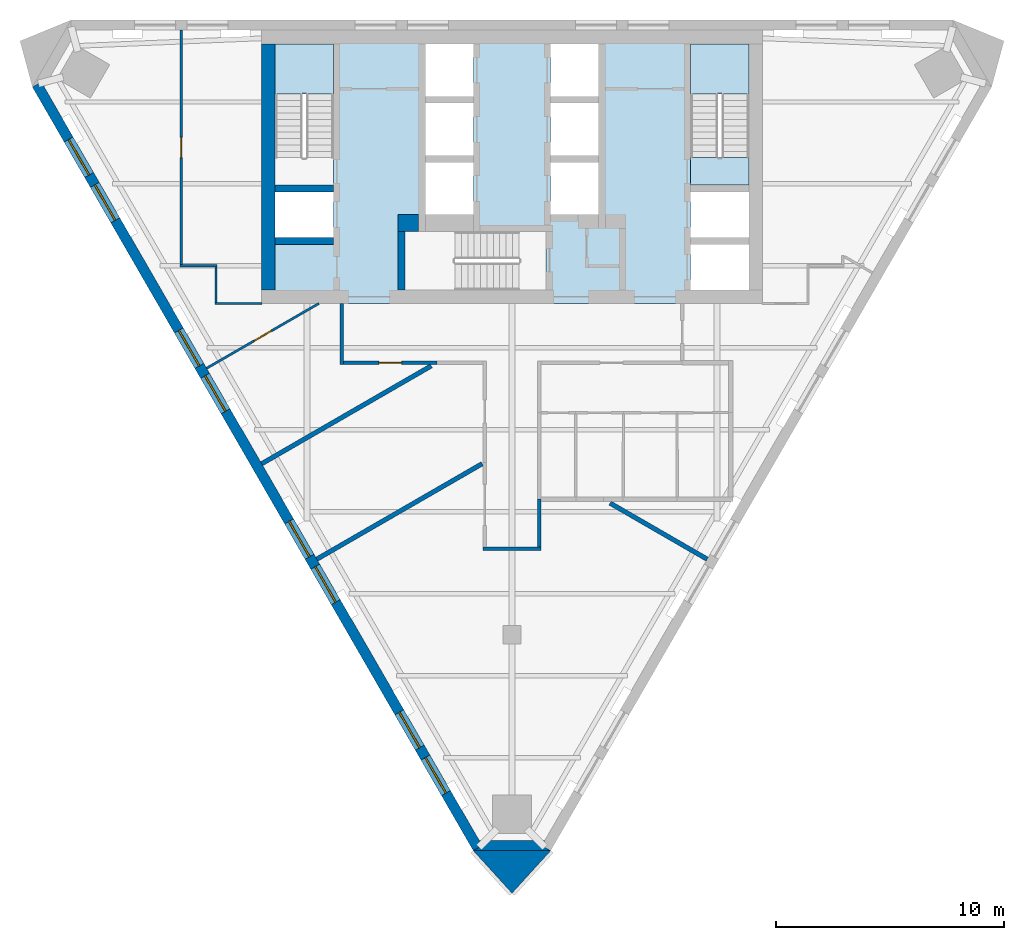
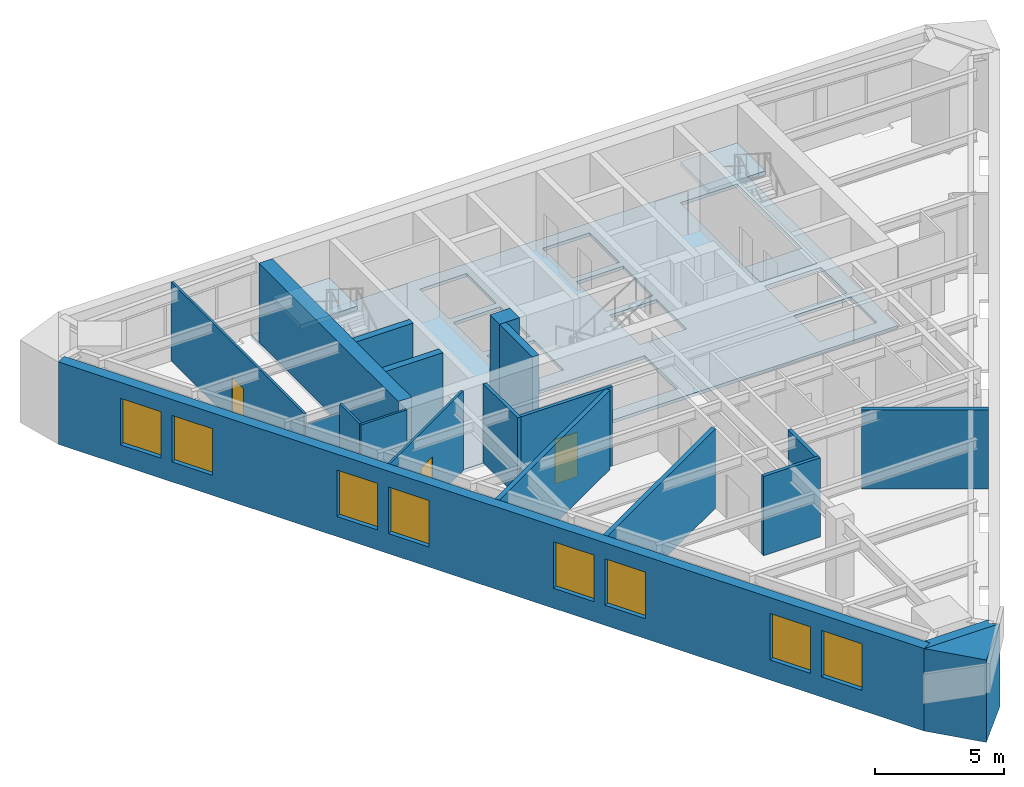
# One storey, part 2 of 7: 20 walls, 8 windows, 4 slabs, 3 doors, 11 openings, 2 elements without a shape of their own.
"""IFC4 building model written with IfcOpenShell, lengths in metres."""

from ifc_helpers import new_model, si_unit, direction, frame, frame_2d, origin, place, context, subcontext, project, spatial, polyline, rectangle, outline, extrude, material, layer, layer_set, type_object, element, fill, aggregate, save


model = new_model("IFC4")

# Units and contexts
model_context = context("Model", 3, precision=1e-05, world=origin(), true_north=direction((0.0, 1.0)))
body_context = subcontext(model_context, "Body", "Model", "MODEL_VIEW")
ifc_project = project(units=[si_unit("LENGTHUNIT", "METRE"), si_unit("AREAUNIT", "SQUARE_METRE"), si_unit("VOLUMEUNIT", "CUBIC_METRE"), si_unit("PLANEANGLEUNIT", "RADIAN"), si_unit("MASSUNIT", "GRAM", prefix="KILO")], contexts=[model_context])

# Site, building, storey
site_placement = place(None, origin())
site = spatial("IfcSite", under=ifc_project, at=site_placement, CompositionType="ELEMENT")
building_placement = place(site_placement, origin())
building = spatial("IfcBuilding", under=site, at=building_placement, Name="Aloe Facet Convention Tower", CompositionType="ELEMENT")
storey_placement = place(building_placement, frame((0.0, 0.0, 207.5)))
storey = spatial("IfcBuildingStorey", under=building, at=storey_placement, Name="L52", CompositionType="ELEMENT", Elevation=207.5)

# Slabs
ifc_material_1 = material(Name="Concrete C50/60", Category="concrete")
ifc_layer_1 = layer(ifc_material_1, 0.14990234375)
ifc_layer_set_1 = layer_set([ifc_layer_1], Name="CR-S-FLOOR150-C5060")
slab_type_1 = type_object("IfcSlabType", Name="CR-S-FLOOR150-C5060", PredefinedType="FLOOR", material=ifc_layer_set_1)
slab_1_placement = place(storey_placement, frame((0.0, 0.0, -0.14990234375)))
element("IfcSlab", 1, at=slab_1_placement, inside=storey, type_object=slab_type_1, Name="Core floor L52", PredefinedType="FLOOR", context=body_context, shape_type="SweptSolid", body=[
    extrude(outline(polyline([(71.85009765625, 134.550048828125), (72.75, 134.550048828125), (75.60009765625, 134.550048828125), (76.5, 134.550048828125), (78.0, 134.550048828125), (78.89990234375, 134.550048828125), (81.10009765625, 134.550048828125), (82.0, 134.550048828125), (83.5, 134.550048828125), (84.39990234375, 134.550048828125), (87.25, 134.550048828125), (88.14990234375, 134.550048828125), (91.0, 134.550048828125), (91.0, 128.050048828125), (91.0, 127.14990234375), (91.0, 125.75), (91.0, 124.85009765625), (91.0, 122.550048828125), (88.14990234375, 122.550048828125), (87.25, 122.550048828125), (85.300048828125, 122.550048828125), (84.39990234375, 122.550048828125), (82.10009765625, 122.550048828125), (81.199951171875, 122.550048828125), (75.60009765625, 122.550048828125), (74.699951171875, 122.550048828125), (72.75, 122.550048828125), (71.85009765625, 122.550048828125), (69.0, 122.550048828125), (69.0, 124.85009765625), (69.0, 125.75), (69.0, 127.14990234375), (69.0, 128.050048828125), (69.0, 134.550048828125), (71.85009765625, 134.550048828125)]), holes=[polyline([(80.298828125, 123.14990234375), (81.5, 123.14990234375), (81.5, 125.699951171875), (80.298828125, 125.699951171875), (75.300048828125, 125.699951171875), (75.300048828125, 123.14990234375), (80.298828125, 123.14990234375)]), polyline([(69.60009765625, 125.449951171875), (72.14990234375, 125.449951171875), (72.14990234375, 127.449951171875), (69.60009765625, 127.449951171875), (69.60009765625, 125.449951171875)]), polyline([(76.199951171875, 126.449951171875), (78.300048828125, 126.449951171875), (78.300048828125, 128.75), (76.199951171875, 128.75), (76.199951171875, 126.449951171875)]), polyline([(78.300048828125, 129.050048828125), (78.300048828125, 131.35009765625), (76.199951171875, 131.35009765625), (76.199951171875, 129.050048828125), (78.300048828125, 129.050048828125)]), polyline([(69.60009765625, 133.949951171875), (69.60009765625, 128.951171875), (69.60009765625, 127.75), (72.14990234375, 127.75), (72.14990234375, 128.951171875), (72.14990234375, 133.949951171875), (69.60009765625, 133.949951171875)]), polyline([(76.199951171875, 131.64990234375), (78.300048828125, 131.64990234375), (78.300048828125, 133.949951171875), (76.199951171875, 133.949951171875), (76.199951171875, 131.64990234375)]), polyline([(90.39990234375, 123.14990234375), (90.39990234375, 125.14990234375), (87.85009765625, 125.14990234375), (87.85009765625, 123.14990234375), (90.39990234375, 123.14990234375)]), polyline([(87.85009765625, 125.449951171875), (90.39990234375, 125.449951171875), (90.39990234375, 127.449951171875), (87.85009765625, 127.449951171875), (87.85009765625, 125.449951171875)]), polyline([(81.699951171875, 126.449951171875), (83.800048828125, 126.449951171875), (83.800048828125, 128.75), (81.699951171875, 128.75), (81.699951171875, 126.449951171875)]), polyline([(83.800048828125, 129.050048828125), (83.800048828125, 131.35009765625), (81.699951171875, 131.35009765625), (81.699951171875, 129.050048828125), (83.800048828125, 129.050048828125)]), polyline([(87.85009765625, 133.949951171875), (87.85009765625, 128.951171875), (87.85009765625, 127.75), (90.39990234375, 127.75), (90.39990234375, 128.951171875), (90.39990234375, 133.949951171875), (87.85009765625, 133.949951171875)]), polyline([(81.699951171875, 131.64990234375), (83.800048828125, 131.64990234375), (83.800048828125, 133.949951171875), (81.699951171875, 133.949951171875), (81.699951171875, 131.64990234375)])]), origin(), (0.0, 0.0, 1.0), 0.14990234375),
])
ifc_material_2 = material(Name="Concrete C50/60", Category="concrete")
ifc_layer_2 = layer(ifc_material_2, 0.300048828125)
ifc_layer_set_2 = layer_set([ifc_layer_2], Name="CR-S-FLOOR300-C5060")
slab_type_2 = type_object("IfcSlabType", Name="CR-S-FLOOR300-C5060", PredefinedType="FLOOR", material=ifc_layer_set_2)
slab_2_placement = place(storey_placement, frame((0.0, 0.0, -0.300048828125)))
element("IfcSlab", 2, at=slab_2_placement, inside=storey, type_object=slab_type_2, Name="Stair landing floor L52", PredefinedType="FLOOR", context=body_context, shape_type="SweptSolid", body=[
    extrude(outline(polyline([(90.39990234375, 127.75), (90.39990234375, 128.951171875), (87.85009765625, 128.951171875), (87.85009765625, 127.75), (90.39990234375, 127.75)])), origin(), (0.0, 0.0, 1.0), 0.300048828125),
])

# Stair, slab
ifc_material_3 = material(Name="Concrete C50/60", Category="concrete")
stair_type = type_object("IfcStairType", Name="CR-ST-22R", PredefinedType="HALF_TURN_STAIR", material=ifc_material_3)
stair_1_placement = place(storey_placement, origin())
stair_1 = element("IfcStair", 3, at=stair_1_placement, inside=storey, type_object=stair_type, Name="L52 Protected exit stair ST1", PredefinedType="HALF_TURN_STAIR")
ifc_material_4 = material(Name="Concrete C50/60", Category="concrete")
ifc_layer_3 = layer(ifc_material_4, 0.199951171875)
ifc_layer_set_3 = layer_set([ifc_layer_3], Name="CR-SL-LANDING")
slab_type_3 = type_object("IfcSlabType", Name="CR-SL-LANDING", PredefinedType="LANDING", material=ifc_layer_set_3)
slab_3_placement = place(storey_placement, frame((0.0, 0.0, 1.75)))
slab_3 = element("IfcSlab", 4, at=slab_3_placement, type_object=slab_type_3, Name="ST1 landing 1", PredefinedType="LANDING", context=body_context, shape_type="SweptSolid", body=[
    extrude(outline(polyline([(72.14990234375, 131.75), (72.14990234375, 133.949951171875), (69.60009765625, 133.949951171875), (69.60009765625, 131.75), (72.14990234375, 131.75)])), origin(), (0.0, 0.0, 1.0), 0.199951171875),
])
aggregate(stair_1, [slab_3])

stair_2_placement = place(storey_placement, origin())
stair_2 = element("IfcStair", 5, at=stair_2_placement, inside=storey, type_object=stair_type, Name="L52 Protected exit stair ST2", PredefinedType="HALF_TURN_STAIR")
slab_4_placement = place(storey_placement, frame((0.0, 0.0, 1.75)))
slab_4 = element("IfcSlab", 6, at=slab_4_placement, type_object=slab_type_3, Name="ST2 landing 1", PredefinedType="LANDING", context=body_context, shape_type="SweptSolid", body=[
    extrude(outline(polyline([(90.39990234375, 131.75), (90.39990234375, 133.949951171875), (87.85009765625, 133.949951171875), (87.85009765625, 131.75), (90.39990234375, 131.75)])), origin(), (0.0, 0.0, 1.0), 0.199951171875),
])
aggregate(stair_2, [slab_4])

# Walls
ifc_material_5 = material(Name="Concrete C50/60", Category="concrete")
ifc_layer_4 = layer(ifc_material_5, 0.300048828125)
ifc_layer_set_4 = layer_set([ifc_layer_4], Name="CR-W-RC300-C5060")
wall_type_1 = type_object("IfcWallType", Name="CR-W-RC300-C5060", PredefinedType="SOLIDWALL", material=ifc_layer_set_4)
for number, where, z_axis, x_axis, name in (
    (7, (69.60009765625, 127.60009765625, 0.0), (0.0, 0.0, 1.0), (1.0, 0.0, 0.0), "Core wall L52-004"),
    (8, (69.60009765625, 125.300048828125, 0.0), (0.0, 0.0, 1.0), (1.0, 0.0, 0.0), "Core wall L52-005"),
):
    element("IfcWall", number, at=place(storey_placement, frame(where, z_axis=z_axis, x_axis=x_axis)), inside=storey, type_object=wall_type_1, Name=name, PredefinedType="SOLIDWALL", context=body_context, shape_type="SweptSolid", body=[
        extrude(rectangle(XDim=2.5498046875, YDim=0.300048828125, at=frame_2d((1.27490234375, 0.0))), origin(), (0.0, 0.0, 1.0), 3.75),
    ])
wall_1_placement = place(storey_placement, frame((75.14990234375, 125.699951171875, 0.0), z_axis=(0.0, 0.0, 1.0), x_axis=(0.0, -1.0, 0.0)))
element("IfcWall", 9, at=wall_1_placement, inside=storey, type_object=wall_type_1, Name="Core wall L52-009", PredefinedType="SOLIDWALL", context=body_context, shape_type="SweptSolid", body=[
    extrude(rectangle(XDim=2.550048828125, YDim=0.300048828125, at=frame_2d((1.27490234375, 0.0))), origin(), (0.0, 0.0, 1.0), 3.75),
])
ifc_material_6 = material(Name="Concrete C50/60", Category="concrete")
ifc_layer_5 = layer(ifc_material_6, 0.60009765625)
ifc_layer_set_5 = layer_set([ifc_layer_5], Name="CR-W-RC600-C5060")
wall_type_2 = type_object("IfcWallType", Name="CR-W-RC600-C5060", PredefinedType="SOLIDWALL", material=ifc_layer_set_5)
wall_2_placement = place(storey_placement, frame((69.300048828125, 133.949951171875, 0.0), z_axis=(0.0, 0.0, 1.0), x_axis=(0.0, -1.0, 0.0)))
element("IfcWall", 10, at=wall_2_placement, inside=storey, type_object=wall_type_2, Name="Core wall L52-002", PredefinedType="SOLIDWALL", context=body_context, shape_type="SweptSolid", body=[
    extrude(rectangle(XDim=10.800048828125, YDim=0.60009765625, at=frame_2d((5.39990234375, 0.0))), origin(), (0.0, 0.0, 1.0), 3.75),
])
ifc_material_7 = material(Name="Concrete C50/60", Category="concrete")
ifc_layer_6 = layer(ifc_material_7, 0.75)
ifc_layer_set_6 = layer_set([ifc_layer_6], Name="CR-W-RC750-C5060")
wall_type_3 = type_object("IfcWallType", Name="CR-W-RC750-C5060", PredefinedType="SOLIDWALL", material=ifc_layer_set_6)
wall_3_placement = place(storey_placement, frame((75.0, 126.074951171875, 0.0), z_axis=(0.0, 0.0, 1.0), x_axis=(1.0, 0.0, 0.0)))
element("IfcWall", 11, at=wall_3_placement, inside=storey, type_object=wall_type_3, Name="Core wall L52-008", PredefinedType="SOLIDWALL", context=body_context, shape_type="SweptSolid", body=[
    extrude(rectangle(XDim=0.89990234375, YDim=0.75, at=frame_2d((0.449951171875, 0.0))), origin(), (0.0, 0.0, 1.0), 3.75),
])
ifc_material_8 = material(Name="Precast concrete C40/50", Category="concrete")
ifc_layer_7 = layer(ifc_material_8, 0.449951171875)
ifc_layer_set_7 = layer_set([ifc_layer_7], Name="EV-WALL-PIER")
wall_type_4 = type_object("IfcWallType", Name="EV-WALL-PIER", PredefinedType="SOLIDWALL", material=ifc_layer_set_7)
wall_4_placement = place(storey_placement, frame((0.0, 0.0, -0.14990234375)))
element("IfcWall", 12, at=wall_4_placement, inside=storey, type_object=wall_type_4, Name="EP-L52-B", PredefinedType="SOLIDWALL", context=body_context, shape_type="SweptSolid", body=[
    extrude(outline(polyline([(78.300048828125, 98.514892578125), (78.689697265625, 98.739990234375), (78.559814453125, 98.965087890625), (81.440185546875, 98.965087890625), (81.310302734375, 98.739990234375), (81.699951171875, 98.514892578125), (78.300048828125, 98.514892578125)])), origin(), (0.0, 0.0, 1.0), 3.89990234375),
])
ifc_material_9 = material(Name="Precast concrete C40/50", Category="concrete")
ifc_layer_8 = layer(ifc_material_9, 3.947998046875)
ifc_layer_set_8 = layer_set([ifc_layer_8], Name="EV-WALL-SPINE")
wall_type_5 = type_object("IfcWallType", Name="EV-WALL-SPINE", PredefinedType="SOLIDWALL", material=ifc_layer_set_8)
wall_5_placement = place(storey_placement, frame((0.0, 0.0, -0.14990234375)))
element("IfcWall", 13, at=wall_5_placement, inside=storey, type_object=wall_type_5, Name="SP-S-L52", PredefinedType="SOLIDWALL", context=body_context, shape_type="SweptSolid", body=[
    extrude(outline(polyline([(78.300048828125, 98.514892578125), (80.0, 96.646484375), (81.699951171875, 98.514892578125), (78.300048828125, 98.514892578125)])), origin(), (0.0, 0.0, 1.0), 3.89990234375),
])

# Wall, openings, windows
ifc_material_10 = material(Name="Precast concrete C40/50", Category="concrete")
ifc_layer_9 = layer(ifc_material_10, 0.449951171875)
ifc_layer_set_9 = layer_set([ifc_layer_9], Name="EV-WALL-STONE")
wall_type_6 = type_object("IfcWallType", Name="EV-WALL-STONE", PredefinedType="SOLIDWALL", material=ifc_layer_set_9)
wall_6_placement = place(storey_placement, frame((59.130126953125, 132.16796875, -0.14990234375), z_axis=(0.0, 0.0, 1.0), x_axis=(0.500002199942, -0.866024133644, 0.0)))
wall_6 = element("IfcWall", 14, at=wall_6_placement, inside=storey, type_object=wall_type_6, Name="EW-L52-W01", PredefinedType="SOLIDWALL", context=body_context, shape_type="SweptSolid", body=[
    extrude(outline(polyline([(38.729248046875, 0.0), (38.729248046875, 3.89990234375), (0.0, 3.89990234375), (0.0, 0.0), (38.729248046875, 0.0)])), frame((0.0, 0.22509765625, 0.0), z_axis=(0.0, -1.0, 0.0), x_axis=(1.0, 0.0, 0.0)), (0.0, 0.0, 1.0), 0.449951171875),
])
opening_1_placement = place(wall_6_placement, frame((2.791259765625, 0.0, 0.949951171875)))
opening_1 = element("IfcOpeningElement", 15, at=opening_1_placement, cuts=wall_6, Name="Opening W-L52-W01", PredefinedType="OPENING", context=body_context, shape_type="SweptSolid", body=[
    extrude(rectangle(XDim=1.800048828125, YDim=2.199951171875, at=frame_2d((0.89990234375, 1.10009765625))), frame((0.0, 0.23486328125, 0.0), z_axis=(0.0, -1.0, 0.0), x_axis=(1.0, 0.0, 0.0)), (0.0, 0.0, 1.0), 0.469970703125),
])
opening_2_placement = place(wall_6_placement, frame((5.091064453125, 0.0, 0.949951171875)))
opening_2 = element("IfcOpeningElement", 16, at=opening_2_placement, cuts=wall_6, Name="Opening W-L52-W02", PredefinedType="OPENING", context=body_context, shape_type="SweptSolid", body=[
    extrude(rectangle(XDim=1.800048828125, YDim=2.199951171875, at=frame_2d((0.89990234375, 1.10009765625))), frame((0.0, 0.23486328125, 0.0), z_axis=(0.0, -1.0, 0.0), x_axis=(1.0, 0.0, 0.0)), (0.0, 0.0, 1.0), 0.469970703125),
])
opening_3_placement = place(wall_6_placement, frame((12.473388671875, 0.0, 0.949951171875)))
opening_3 = element("IfcOpeningElement", 17, at=opening_3_placement, cuts=wall_6, Name="Opening W-L52-W03", PredefinedType="OPENING", context=body_context, shape_type="SweptSolid", body=[
    extrude(rectangle(XDim=1.800048828125, YDim=2.199951171875, at=frame_2d((0.89990234375, 1.10009765625))), frame((0.0, 0.23486328125, 0.0), z_axis=(0.0, -1.0, 0.0), x_axis=(1.0, 0.0, 0.0)), (0.0, 0.0, 1.0), 0.469970703125),
])
opening_4_placement = place(wall_6_placement, frame((14.7734375, 0.0, 0.949951171875)))
opening_4 = element("IfcOpeningElement", 18, at=opening_4_placement, cuts=wall_6, Name="Opening W-L52-W04", PredefinedType="OPENING", context=body_context, shape_type="SweptSolid", body=[
    extrude(rectangle(XDim=1.800048828125, YDim=2.199951171875, at=frame_2d((0.89990234375, 1.10009765625))), frame((0.0, 0.23486328125, 0.0), z_axis=(0.0, -1.0, 0.0), x_axis=(1.0, 0.0, 0.0)), (0.0, 0.0, 1.0), 0.469970703125),
])
opening_5_placement = place(wall_6_placement, frame((22.15576171875, 0.0, 0.949951171875)))
opening_5 = element("IfcOpeningElement", 19, at=opening_5_placement, cuts=wall_6, Name="Opening W-L52-W05", PredefinedType="OPENING", context=body_context, shape_type="SweptSolid", body=[
    extrude(rectangle(XDim=1.800048828125, YDim=2.199951171875, at=frame_2d((0.89990234375, 1.10009765625))), frame((0.0, 0.23486328125, 0.0), z_axis=(0.0, -1.0, 0.0), x_axis=(1.0, 0.0, 0.0)), (0.0, 0.0, 1.0), 0.469970703125),
])
opening_6_placement = place(wall_6_placement, frame((24.455810546875, 0.0, 0.949951171875)))
opening_6 = element("IfcOpeningElement", 20, at=opening_6_placement, cuts=wall_6, Name="Opening W-L52-W06", PredefinedType="OPENING", context=body_context, shape_type="SweptSolid", body=[
    extrude(rectangle(XDim=1.800048828125, YDim=2.199951171875, at=frame_2d((0.89990234375, 1.10009765625))), frame((0.0, 0.23486328125, 0.0), z_axis=(0.0, -1.0, 0.0), x_axis=(1.0, 0.0, 0.0)), (0.0, 0.0, 1.0), 0.469970703125),
])
opening_7_placement = place(wall_6_placement, frame((31.838134765625, 0.0, 0.949951171875)))
opening_7 = element("IfcOpeningElement", 21, at=opening_7_placement, cuts=wall_6, Name="Opening W-L52-W07", PredefinedType="OPENING", context=body_context, shape_type="SweptSolid", body=[
    extrude(rectangle(XDim=1.800048828125, YDim=2.199951171875, at=frame_2d((0.89990234375, 1.10009765625))), frame((0.0, 0.23486328125, 0.0), z_axis=(0.0, -1.0, 0.0), x_axis=(1.0, 0.0, 0.0)), (0.0, 0.0, 1.0), 0.469970703125),
])
opening_8_placement = place(wall_6_placement, frame((34.13818359375, 0.0, 0.949951171875)))
opening_8 = element("IfcOpeningElement", 22, at=opening_8_placement, cuts=wall_6, Name="Opening W-L52-W08", PredefinedType="OPENING", context=body_context, shape_type="SweptSolid", body=[
    extrude(rectangle(XDim=1.800048828125, YDim=2.199951171875, at=frame_2d((0.89990234375, 1.10009765625))), frame((0.0, 0.23486328125, 0.0), z_axis=(0.0, -1.0, 0.0), x_axis=(1.0, 0.0, 0.0)), (0.0, 0.0, 1.0), 0.469970703125),
])
ifc_material_11 = material(Name="Aluminium frame, clear double glazing", Category="aluminium")
window_type = type_object("IfcWindowType", Name="EV-WIN-O18", PartitioningType="SINGLE_PANEL", PredefinedType="WINDOW", material=ifc_material_11)
window_1_placement = place(opening_1_placement, origin())
window_1 = element("IfcWindow", 23, at=window_1_placement, inside=storey, type_object=window_type, Name="W-L52-W01", OverallHeight=2.199951171875, OverallWidth=1.800048828125, PartitioningType="SINGLE_PANEL", PredefinedType="WINDOW", context=body_context, shape_type="SweptSolid", body=[
    extrude(rectangle(XDim=1.800048828125, YDim=2.199951171875, at=frame_2d((0.89990234375, 1.10009765625))), frame((0.0, 0.030029296875, 0.0), z_axis=(0.0, -1.0, 0.0), x_axis=(1.0, 0.0, 0.0)), (0.0, 0.0, 1.0), 0.06005859375),
])
fill(opening_1, window_1)
window_2_placement = place(opening_2_placement, origin())
window_2 = element("IfcWindow", 24, at=window_2_placement, inside=storey, type_object=window_type, Name="W-L52-W02", OverallHeight=2.199951171875, OverallWidth=1.800048828125, PartitioningType="SINGLE_PANEL", PredefinedType="WINDOW", context=body_context, shape_type="SweptSolid", body=[
    extrude(rectangle(XDim=1.800048828125, YDim=2.199951171875, at=frame_2d((0.89990234375, 1.10009765625))), frame((0.0, 0.030029296875, 0.0), z_axis=(0.0, -1.0, 0.0), x_axis=(1.0, 0.0, 0.0)), (0.0, 0.0, 1.0), 0.06005859375),
])
fill(opening_2, window_2)
window_3_placement = place(opening_3_placement, origin())
window_3 = element("IfcWindow", 25, at=window_3_placement, inside=storey, type_object=window_type, Name="W-L52-W03", OverallHeight=2.199951171875, OverallWidth=1.800048828125, PartitioningType="SINGLE_PANEL", PredefinedType="WINDOW", context=body_context, shape_type="SweptSolid", body=[
    extrude(rectangle(XDim=1.800048828125, YDim=2.199951171875, at=frame_2d((0.89990234375, 1.10009765625))), frame((0.0, 0.030029296875, 0.0), z_axis=(0.0, -1.0, 0.0), x_axis=(1.0, 0.0, 0.0)), (0.0, 0.0, 1.0), 0.06005859375),
])
fill(opening_3, window_3)
window_4_placement = place(opening_4_placement, origin())
window_4 = element("IfcWindow", 26, at=window_4_placement, inside=storey, type_object=window_type, Name="W-L52-W04", OverallHeight=2.199951171875, OverallWidth=1.800048828125, PartitioningType="SINGLE_PANEL", PredefinedType="WINDOW", context=body_context, shape_type="SweptSolid", body=[
    extrude(rectangle(XDim=1.800048828125, YDim=2.199951171875, at=frame_2d((0.89990234375, 1.10009765625))), frame((0.0, 0.030029296875, 0.0), z_axis=(0.0, -1.0, 0.0), x_axis=(1.0, 0.0, 0.0)), (0.0, 0.0, 1.0), 0.06005859375),
])
fill(opening_4, window_4)
window_5_placement = place(opening_5_placement, origin())
window_5 = element("IfcWindow", 27, at=window_5_placement, inside=storey, type_object=window_type, Name="W-L52-W05", OverallHeight=2.199951171875, OverallWidth=1.800048828125, PartitioningType="SINGLE_PANEL", PredefinedType="WINDOW", context=body_context, shape_type="SweptSolid", body=[
    extrude(rectangle(XDim=1.800048828125, YDim=2.199951171875, at=frame_2d((0.89990234375, 1.10009765625))), frame((0.0, 0.030029296875, 0.0), z_axis=(0.0, -1.0, 0.0), x_axis=(1.0, 0.0, 0.0)), (0.0, 0.0, 1.0), 0.06005859375),
])
fill(opening_5, window_5)
window_6_placement = place(opening_6_placement, origin())
window_6 = element("IfcWindow", 28, at=window_6_placement, inside=storey, type_object=window_type, Name="W-L52-W06", OverallHeight=2.199951171875, OverallWidth=1.800048828125, PartitioningType="SINGLE_PANEL", PredefinedType="WINDOW", context=body_context, shape_type="SweptSolid", body=[
    extrude(rectangle(XDim=1.800048828125, YDim=2.199951171875, at=frame_2d((0.89990234375, 1.10009765625))), frame((0.0, 0.030029296875, 0.0), z_axis=(0.0, -1.0, 0.0), x_axis=(1.0, 0.0, 0.0)), (0.0, 0.0, 1.0), 0.06005859375),
])
fill(opening_6, window_6)
window_7_placement = place(opening_7_placement, origin())
window_7 = element("IfcWindow", 29, at=window_7_placement, inside=storey, type_object=window_type, Name="W-L52-W07", OverallHeight=2.199951171875, OverallWidth=1.800048828125, PartitioningType="SINGLE_PANEL", PredefinedType="WINDOW", context=body_context, shape_type="SweptSolid", body=[
    extrude(rectangle(XDim=1.800048828125, YDim=2.199951171875, at=frame_2d((0.89990234375, 1.10009765625))), frame((0.0, 0.030029296875, 0.0), z_axis=(0.0, -1.0, 0.0), x_axis=(1.0, 0.0, 0.0)), (0.0, 0.0, 1.0), 0.06005859375),
])
fill(opening_7, window_7)
window_8_placement = place(opening_8_placement, origin())
window_8 = element("IfcWindow", 30, at=window_8_placement, inside=storey, type_object=window_type, Name="W-L52-W08", OverallHeight=2.199951171875, OverallWidth=1.800048828125, PartitioningType="SINGLE_PANEL", PredefinedType="WINDOW", context=body_context, shape_type="SweptSolid", body=[
    extrude(rectangle(XDim=1.800048828125, YDim=2.199951171875, at=frame_2d((0.89990234375, 1.10009765625))), frame((0.0, 0.030029296875, 0.0), z_axis=(0.0, -1.0, 0.0), x_axis=(1.0, 0.0, 0.0)), (0.0, 0.0, 1.0), 0.06005859375),
])
fill(opening_8, window_8)

# Walls
ifc_material_12 = material(Name="Gypsum board partition on steel studs", Category="steel")
ifc_layer_10 = layer(ifc_material_12, 0.14990234375)
ifc_layer_set_10 = layer_set([ifc_layer_10], Name="IN-W-CORR")
wall_type_7 = type_object("IfcWallType", Name="IN-W-CORR", PredefinedType="PARTITIONING", material=ifc_layer_set_10)
wall_7_placement = place(storey_placement, frame((78.72705078125, 111.766845703125, 0.0), z_axis=(0.0, 0.0, 1.0), x_axis=(1.0, 0.0, 0.0)))
element("IfcWall", 31, at=wall_7_placement, inside=storey, type_object=wall_type_7, Name="Partition L52-W002", PredefinedType="PARTITIONING", context=body_context, shape_type="SweptSolid", body=[
    extrude(rectangle(XDim=2.5458984375, YDim=0.14990234375, at=frame_2d((1.27294921875, 0.0))), origin(), (0.0, 0.0, 1.0), 3.75),
])
wall_8_placement = place(storey_placement, frame((81.197998046875, 111.841796875, 0.0), z_axis=(0.0, 0.0, 1.0), x_axis=(0.000926461675, 0.999999570834, 0.0)))
element("IfcWall", 32, at=wall_8_placement, inside=storey, type_object=wall_type_7, Name="Partition L52-W003", PredefinedType="PARTITIONING", context=body_context, shape_type="SweptSolid", body=[
    extrude(rectangle(XDim=2.108154296875, YDim=0.14990234375, at=frame_2d((1.05419921875, 0.0))), origin(), (0.0, 0.0, 1.0), 3.75),
])
wall_9_placement = place(storey_placement, frame((72.52490234375, 119.875, 0.0), z_axis=(0.0, 0.0, 1.0), x_axis=(0.0, 1.0, 0.0)))
element("IfcWall", 33, at=wall_9_placement, inside=storey, type_object=wall_type_7, Name="Partition L52-W024", PredefinedType="PARTITIONING", context=body_context, shape_type="SweptSolid", body=[
    extrude(rectangle(XDim=2.675048828125, YDim=0.14990234375, at=frame_2d((1.33740234375, 0.0))), origin(), (0.0, 0.0, 1.0), 3.75),
])

# Wall, opening, door
wall_10_placement = place(storey_placement, frame((72.60009765625, 119.949951171875, 0.0), z_axis=(0.0, 0.0, 1.0), x_axis=(1.0, 0.0, 0.0)))
wall_10 = element("IfcWall", 34, at=wall_10_placement, inside=storey, type_object=wall_type_7, Name="Partition L52-W025", PredefinedType="PARTITIONING", context=body_context, shape_type="SweptSolid", body=[
    extrude(rectangle(XDim=4.09716796875, YDim=0.14990234375, at=frame_2d((2.048583984375, 0.0))), origin(), (0.0, 0.0, 1.0), 3.75),
])
opening_9_placement = place(wall_10_placement, frame((1.548583984375, 0.0, 0.0)))
opening_9 = element("IfcOpeningElement", 35, at=opening_9_placement, cuts=wall_10, Name="Opening L52-009", PredefinedType="OPENING", context=body_context, shape_type="SweptSolid", body=[
    extrude(rectangle(XDim=1.0, YDim=2.10009765625, at=frame_2d((0.5, 1.050048828125))), frame((0.0, 0.0849609375, 0.0), z_axis=(0.0, -1.0, 0.0), x_axis=(1.0, 0.0, 0.0)), (0.0, 0.0, 1.0), 0.169921875),
])
ifc_material_13 = material(Name="Timber door FD30S with vision panel", Category="wood")
door_type_1 = type_object("IfcDoorType", Name="IN-OFF-D-ENTRY", OperationType="SINGLE_SWING_LEFT", PredefinedType="DOOR", material=ifc_material_13)
door_1_placement = place(opening_9_placement, origin())
door_1 = element("IfcDoor", 36, at=door_1_placement, inside=storey, type_object=door_type_1, Name="Door L52-009", OperationType="SINGLE_SWING_LEFT", OverallHeight=2.10009765625, OverallWidth=1.0, PredefinedType="DOOR", context=body_context, shape_type="SweptSolid", body=[
    extrude(rectangle(XDim=1.0, YDim=2.10009765625, at=frame_2d((0.5, 1.050048828125))), frame((0.0, 0.02490234375, 0.0), z_axis=(0.0, -1.0, 0.0), x_axis=(1.0, 0.0, 0.0)), (0.0, 0.0, 1.0), 0.050048828125),
])
fill(opening_9, door_1)

ifc_material_14 = material(Name="Gypsum board partition on steel studs", Category="steel")
ifc_layer_11 = layer(ifc_material_14, 0.10009765625)
ifc_layer_set_11 = layer_set([ifc_layer_11], Name="IN-W-PART")
wall_type_8 = type_object("IfcWallType", Name="IN-W-PART", PredefinedType="PARTITIONING", material=ifc_layer_set_11)
wall_11_placement = place(storey_placement, frame((66.5869140625, 119.702880859375, 0.0), z_axis=(0.0, 0.0, 1.0), x_axis=(0.866023511746, 0.500003277092, 0.0)))
wall_11 = element("IfcWall", 37, at=wall_11_placement, inside=storey, type_object=wall_type_8, Name="Partition L52-W023", PredefinedType="PARTITIONING", context=body_context, shape_type="SweptSolid", body=[
    extrude(rectangle(XDim=5.6943359375, YDim=0.10009765625, at=frame_2d((2.84716796875, 0.0))), origin(), (0.0, 0.0, 1.0), 3.75),
])
opening_10_placement = place(wall_11_placement, frame((2.397216796875, 0.0, 0.0)))
opening_10 = element("IfcOpeningElement", 38, at=opening_10_placement, cuts=wall_11, Name="Opening L52-008", PredefinedType="OPENING", context=body_context, shape_type="SweptSolid", body=[
    extrude(rectangle(XDim=0.89990234375, YDim=2.10009765625, at=frame_2d((0.449951171875, 1.050048828125))), frame((0.0, 0.06005859375, 0.0), z_axis=(0.0, -1.0, 0.0), x_axis=(1.0, 0.0, 0.0)), (0.0, 0.0, 1.0), 0.1201171875),
])
ifc_material_15 = material(Name="Timber door", Category="wood")
door_type_2 = type_object("IfcDoorType", Name="IN-OFF-D-ROOM", OperationType="SINGLE_SWING_LEFT", PredefinedType="DOOR", material=ifc_material_15)
door_2_placement = place(opening_10_placement, origin())
door_2 = element("IfcDoor", 39, at=door_2_placement, inside=storey, type_object=door_type_2, Name="Door L52-008", OperationType="SINGLE_SWING_LEFT", OverallHeight=2.10009765625, OverallWidth=0.89990234375, PredefinedType="DOOR", context=body_context, shape_type="SweptSolid", body=[
    extrude(rectangle(XDim=0.89990234375, YDim=2.10009765625, at=frame_2d((0.449951171875, 1.050048828125))), frame((0.0, 0.02490234375, 0.0), z_axis=(0.0, -1.0, 0.0), x_axis=(1.0, 0.0, 0.0)), (0.0, 0.0, 1.0), 0.050048828125),
])
fill(opening_10, door_2)

# Walls
wall_12_placement = place(storey_placement, frame((66.951904296875, 122.550048828125, 0.0), z_axis=(0.0, 0.0, 1.0), x_axis=(1.0, 0.0, 0.0)))
element("IfcWall", 40, at=wall_12_placement, inside=storey, type_object=wall_type_8, Name="Partition L52-W030", PredefinedType="PARTITIONING", context=body_context, shape_type="SweptSolid", body=[
    extrude(rectangle(XDim=2.057861328125, YDim=0.10009765625, at=frame_2d((1.02880859375, 0.0))), origin(), (0.0, 0.0, 1.0), 3.75),
])
wall_13_placement = place(storey_placement, frame((65.428466796875, 124.199951171875, 0.0), z_axis=(0.0, 0.0, 1.0), x_axis=(1.0, 0.0, 0.0)))
element("IfcWall", 41, at=wall_13_placement, inside=storey, type_object=wall_type_8, Name="Partition L52-W034", PredefinedType="PARTITIONING", context=body_context, shape_type="SweptSolid", body=[
    extrude(rectangle(XDim=1.62158203125, YDim=0.10009765625, at=frame_2d((0.810791015625, 0.0))), origin(), (0.0, 0.0, 1.0), 3.280029296875),
])
wall_14_placement = place(storey_placement, frame((67.001953125, 122.60009765625, 0.0), z_axis=(0.0, 0.0, 1.0), x_axis=(-0.001260238445, 0.999999205899, 0.0)))
element("IfcWall", 42, at=wall_14_placement, inside=storey, type_object=wall_type_8, Name="Partition L52-W035", PredefinedType="PARTITIONING", context=body_context, shape_type="SweptSolid", body=[
    extrude(rectangle(XDim=1.5498046875, YDim=0.10009765625, at=frame_2d((0.77490234375, 0.0))), origin(), (0.0, 0.0, 1.0), 3.75),
])

# Wall, opening, door
wall_15_placement = place(storey_placement, frame((65.478515625, 124.25, 0.0), z_axis=(0.0, 0.0, 1.0), x_axis=(-0.000189622884, 0.999999982022, 0.0)))
wall_15 = element("IfcWall", 43, at=wall_15_placement, inside=storey, type_object=wall_type_8, Name="Partition L52-W039", PredefinedType="PARTITIONING", context=body_context, shape_type="SweptSolid", body=[
    extrude(rectangle(XDim=10.300048828125, YDim=0.10009765625, at=frame_2d((5.14990234375, 0.0))), origin(), (0.0, 0.0, 1.0), 3.75),
])
opening_11_placement = place(wall_15_placement, frame((4.699951171875, 0.0, 0.0)))
opening_11 = element("IfcOpeningElement", 44, at=opening_11_placement, cuts=wall_15, Name="Opening L52-007", PredefinedType="OPENING", context=body_context, shape_type="SweptSolid", body=[
    extrude(rectangle(XDim=0.89990234375, YDim=2.10009765625, at=frame_2d((0.449951171875, 1.050048828125))), frame((0.0, 0.06005859375, 0.0), z_axis=(0.0, -1.0, 0.0), x_axis=(1.0, 0.0, 0.0)), (0.0, 0.0, 1.0), 0.1201171875),
])
door_3_placement = place(opening_11_placement, origin())
door_3 = element("IfcDoor", 45, at=door_3_placement, inside=storey, type_object=door_type_2, Name="Door L52-007", OperationType="SINGLE_SWING_LEFT", OverallHeight=2.10009765625, OverallWidth=0.89990234375, PredefinedType="DOOR", context=body_context, shape_type="SweptSolid", body=[
    extrude(rectangle(XDim=0.89990234375, YDim=2.10009765625, at=frame_2d((0.449951171875, 1.050048828125))), frame((0.0, 0.02490234375, 0.0), z_axis=(0.0, -1.0, 0.0), x_axis=(1.0, 0.0, 0.0)), (0.0, 0.0, 1.0), 0.050048828125),
])
fill(opening_11, door_3)

# Walls
ifc_material_16 = material(Name="Gypsum board partition on steel studs", Category="steel")
ifc_layer_12 = layer(ifc_material_16, 0.199951171875)
ifc_layer_set_12 = layer_set([ifc_layer_12], Name="IN-W-PARTY")
wall_type_9 = type_object("IfcWallType", Name="IN-W-PARTY", PredefinedType="PARTITIONING", material=ifc_layer_set_12)
wall_16_placement = place(storey_placement, frame((71.427978515625, 111.317626953125, 0.0), z_axis=(0.0, 0.0, 1.0), x_axis=(0.866016898545, 0.500014731218, 0.0)))
element("IfcWall", 46, at=wall_16_placement, inside=storey, type_object=wall_type_9, Name="Partition L52-W001", PredefinedType="PARTITIONING", context=body_context, shape_type="SweptSolid", body=[
    extrude(rectangle(XDim=8.387451171875, YDim=0.199951171875, at=frame_2d((4.19384765625, 0.0))), origin(), (0.0, 0.0, 1.0), 3.75),
])
wall_17_placement = place(storey_placement, frame((84.30712890625, 113.780029296875, 0.0), z_axis=(0.0, 0.0, 1.0), x_axis=(0.86601964755, -0.500009969958, 0.0)))
element("IfcWall", 47, at=wall_17_placement, inside=storey, type_object=wall_type_9, Name="Partition L52-W006", PredefinedType="PARTITIONING", context=body_context, shape_type="SweptSolid", body=[
    extrude(rectangle(XDim=4.9248046875, YDim=0.199951171875, at=frame_2d((2.46240234375, 0.0))), origin(), (0.0, 0.0, 1.0), 3.75),
])
wall_18_placement = place(storey_placement, frame((69.00732421875, 115.51025390625, 0.0), z_axis=(0.0, 0.0, 1.0), x_axis=(0.866033739143, 0.499985562458, 0.0)))
element("IfcWall", 48, at=wall_18_placement, inside=storey, type_object=wall_type_9, Name="Partition L52-W011", PredefinedType="PARTITIONING", context=body_context, shape_type="SweptSolid", body=[
    extrude(rectangle(XDim=8.594482421875, YDim=0.199951171875, at=frame_2d((4.29736328125, 0.0))), origin(), (0.0, 0.0, 1.0), 3.75),
])

save(model, "model.ifc")
